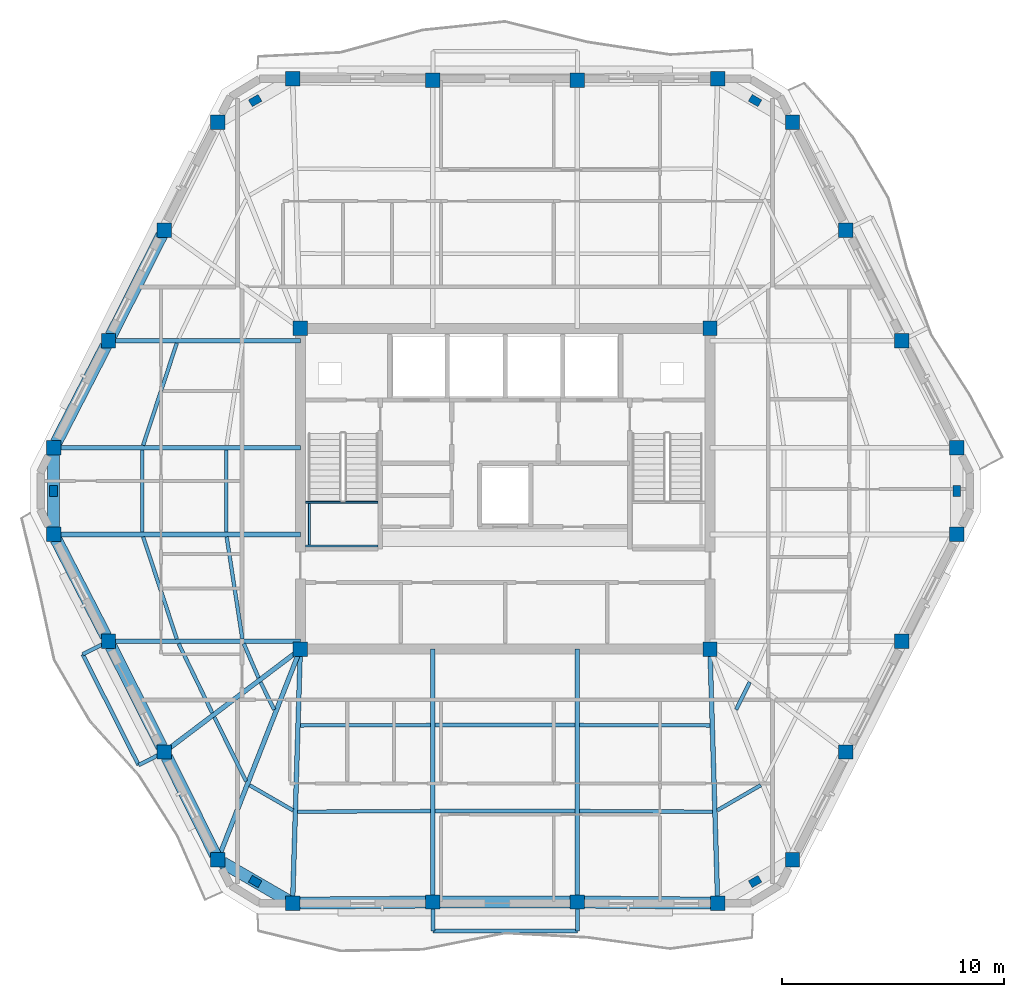
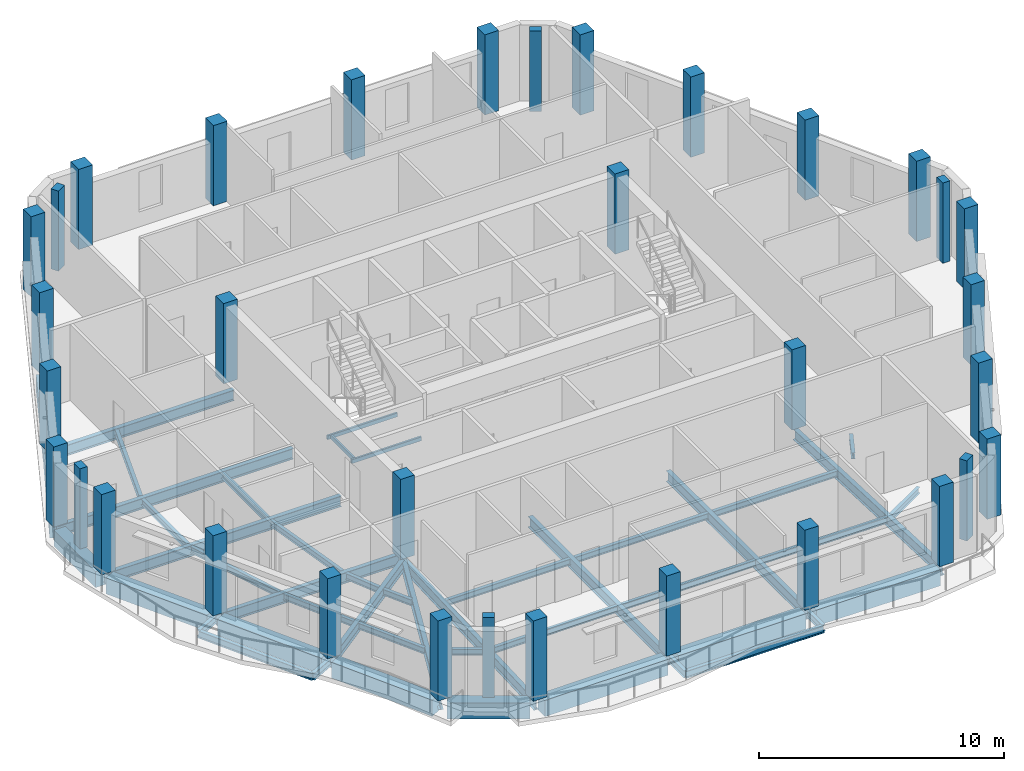
# One storey, part 1 of 11: 47 beams, 34 columns.
"""IFC4 building model written with IfcOpenShell, lengths in metres."""

from ifc_helpers import new_model, si_unit, direction, frame, origin, origin_2d, place, context, subcontext, project, spatial, rectangle, hollow_rectangle, i_section, extrude, material, material_profile, profile_set, type_object, element, save


model = new_model("IFC4")

# Units and contexts
model_context = context("Model", 3, precision=1e-05, world=origin(), true_north=direction((0.0, 1.0)))
body_context = subcontext(model_context, "Body", "Model", "MODEL_VIEW")
ifc_project = project(units=[si_unit("LENGTHUNIT", "METRE"), si_unit("AREAUNIT", "SQUARE_METRE"), si_unit("VOLUMEUNIT", "CUBIC_METRE"), si_unit("PLANEANGLEUNIT", "RADIAN"), si_unit("MASSUNIT", "GRAM", prefix="KILO")], contexts=[model_context])

# Site, building, storey
site_placement = place(None, origin())
site = spatial("IfcSite", under=ifc_project, at=site_placement, CompositionType="ELEMENT")
building_placement = place(site_placement, origin())
building = spatial("IfcBuilding", under=site, at=building_placement, Name="Cinnabar Lancet Tower", CompositionType="ELEMENT")
storey_placement = place(building_placement, frame((0.0, 0.0, 291.5)))
storey = spatial("IfcBuildingStorey", under=building, at=storey_placement, Name="L77", CompositionType="ELEMENT", Elevation=291.5)

# Columns
ifc_material_1 = material(Name="Concrete C50/60", Category="concrete")
ifc_material_profile_1 = material_profile(ifc_material_1, rectangle(XDim=0.64990234375, YDim=0.64990234375, at=origin_2d()), Name="RC-COL 650x650")
ifc_profile_set_1 = profile_set([ifc_material_profile_1], Name="Concrete C50/60")
column_type_1 = type_object("IfcColumnType", Name="STR-COL-CORE-650B", PredefinedType="COLUMN", material=ifc_profile_set_1)
for number, where, z_axis, x_axis, name in (
    (1, (23.175048828125, 18.675048828125, 0.0), (0.0, 0.0, 1.0), (1.0, 0.0, 0.0), "L77 Core Corner Column SW"),
    (2, (41.625, 18.675048828125, 0.0), (0.0, 0.0, 1.0), (1.0, 0.0, 0.0), "L77 Core Corner Column SE"),
    (3, (41.625, 33.125, 0.0), (0.0, 0.0, 1.0), (1.0, 0.0, 0.0), "L77 Core Corner Column NE"),
    (4, (23.175048828125, 33.125, 0.0), (0.0, 0.0, 1.0), (1.0, 0.0, 0.0), "L77 Core Corner Column NW"),
):
    element("IfcColumn", number, at=place(storey_placement, frame(where, z_axis=z_axis, x_axis=x_axis)), inside=storey, type_object=column_type_1, Name=name, PredefinedType="COLUMN", context=body_context, shape_type="SweptSolid", body=[
        extrude(rectangle(XDim=0.64990234375, YDim=0.64990234375, at=origin_2d()), origin(), (0.0, 0.0, 1.0), 4.0),
    ])
ifc_material_2 = material(Name="Concrete C60/75", Category="concrete")
ifc_material_profile_2 = material_profile(ifc_material_2, rectangle(XDim=0.5, YDim=0.35009765625, at=origin_2d()), Name="RC-PIL 500x350")
ifc_profile_set_2 = profile_set([ifc_material_profile_2], Name="Concrete C60/75")
column_type_2 = type_object("IfcColumnType", Name="STR-COL-PIL-500", PredefinedType="PILASTER", material=ifc_profile_set_2)
for number, where, z_axis, x_axis, name in (
    (5, (21.14306640625, 8.215087890625, 0.0), (0.0, 0.0, 1.0), (0.865256437757, -0.501329529272, 0.0), "L77 Chamfered Corner Pilaster 1"),
    (6, (43.656982421875, 8.215087890625, 0.0), (0.0, 0.0, 1.0), (0.865256437757, 0.501329529272, 0.0), "L77 Chamfered Corner Pilaster 2"),
    (7, (52.737060546875, 25.800048828125, 0.0), (0.0, 0.0, 1.0), (0.0, 1.0, 0.0), "L77 Chamfered Corner Pilaster 3"),
    (8, (43.656982421875, 43.385009765625, 0.0), (0.0, 0.0, 1.0), (-0.865256437757, 0.501329529272, 0.0), "L77 Chamfered Corner Pilaster 4"),
    (9, (21.14306640625, 43.385009765625, 0.0), (0.0, 0.0, 1.0), (-0.865256437757, -0.501329529272, 0.0), "L77 Chamfered Corner Pilaster 5"),
    (10, (12.06298828125, 25.800048828125, 0.0), (0.0, 0.0, 1.0), (0.0, -1.0, 0.0), "L77 Chamfered Corner Pilaster 6"),
):
    element("IfcColumn", number, at=place(storey_placement, frame(where, z_axis=z_axis, x_axis=x_axis)), inside=storey, type_object=column_type_2, Name=name, PredefinedType="PILASTER", context=body_context, shape_type="SweptSolid", body=[
        extrude(rectangle(XDim=0.5, YDim=0.35009765625, at=origin_2d()), origin(), (0.0, 0.0, 1.0), 4.0),
    ])
ifc_material_3 = material(Name="Concrete C50/60", Category="concrete")
ifc_material_profile_3 = material_profile(ifc_material_3, rectangle(XDim=0.64990234375, YDim=0.64990234375, at=origin_2d()), Name="RC-COL 650x650")
ifc_profile_set_3 = profile_set([ifc_material_profile_3], Name="Concrete C50/60")
column_type_3 = type_object("IfcColumnType", Name="STR-COL-TUBE-650", PredefinedType="COLUMN", material=ifc_profile_set_3)
for number, where, z_axis, x_axis, name in (
    (11, (22.827880859375, 7.239013671875, 0.0), (0.0, 0.0, 1.0), (1.0, 0.0, 0.0), "L77 Perimeter Tube Column 1"),
    (12, (29.14599609375, 7.2919921875, 0.0), (0.0, 0.0, 1.0), (1.0, 0.0, 0.0), "L77 Perimeter Tube Column 2"),
    (13, (35.654052734375, 7.2919921875, 0.0), (0.0, 0.0, 1.0), (1.0, 0.0, 0.0), "L77 Perimeter Tube Column 3"),
    (14, (41.971923828125, 7.239013671875, 0.0), (0.0, 0.0, 1.0), (1.0, 0.0, 0.0), "L77 Perimeter Tube Column 4"),
    (15, (45.341064453125, 9.19091796875, 0.0), (0.0, 0.0, 1.0), (1.0, 0.0, 0.0), "L77 Perimeter Tube Column 5"),
    (16, (47.7490234375, 14.0458984375, 0.0), (0.0, 0.0, 1.0), (1.0, 0.0, 0.0), "L77 Perimeter Tube Column 6"),
    (17, (50.263916015625, 19.032958984375, 0.0), (0.0, 0.0, 1.0), (1.0, 0.0, 0.0), "L77 Perimeter Tube Column 7"),
    (18, (52.737060546875, 23.844970703125, 0.0), (0.0, 0.0, 1.0), (1.0, 0.0, 0.0), "L77 Perimeter Tube Column 8"),
    (19, (52.737060546875, 27.7548828125, 0.0), (0.0, 0.0, 1.0), (1.0, 0.0, 0.0), "L77 Perimeter Tube Column 9"),
    (20, (50.263916015625, 32.56689453125, 0.0), (0.0, 0.0, 1.0), (1.0, 0.0, 0.0), "L77 Perimeter Tube Column 10"),
    (21, (47.7490234375, 37.553955078125, 0.0), (0.0, 0.0, 1.0), (1.0, 0.0, 0.0), "L77 Perimeter Tube Column 11"),
    (22, (45.341064453125, 42.408935546875, 0.0), (0.0, 0.0, 1.0), (1.0, 0.0, 0.0), "L77 Perimeter Tube Column 12"),
    (23, (41.971923828125, 44.361083984375, 0.0), (0.0, 0.0, 1.0), (1.0, 0.0, 0.0), "L77 Perimeter Tube Column 13"),
    (24, (35.654052734375, 44.30810546875, 0.0), (0.0, 0.0, 1.0), (1.0, 0.0, 0.0), "L77 Perimeter Tube Column 14"),
    (25, (29.14599609375, 44.30810546875, 0.0), (0.0, 0.0, 1.0), (1.0, 0.0, 0.0), "L77 Perimeter Tube Column 15"),
    (26, (22.827880859375, 44.361083984375, 0.0), (0.0, 0.0, 1.0), (1.0, 0.0, 0.0), "L77 Perimeter Tube Column 16"),
    (27, (19.458984375, 42.408935546875, 0.0), (0.0, 0.0, 1.0), (1.0, 0.0, 0.0), "L77 Perimeter Tube Column 17"),
    (28, (17.051025390625, 37.553955078125, 0.0), (0.0, 0.0, 1.0), (1.0, 0.0, 0.0), "L77 Perimeter Tube Column 18"),
    (29, (14.535888671875, 32.56689453125, 0.0), (0.0, 0.0, 1.0), (1.0, 0.0, 0.0), "L77 Perimeter Tube Column 19"),
    (30, (12.06298828125, 27.7548828125, 0.0), (0.0, 0.0, 1.0), (1.0, 0.0, 0.0), "L77 Perimeter Tube Column 20"),
    (31, (12.06298828125, 23.844970703125, 0.0), (0.0, 0.0, 1.0), (1.0, 0.0, 0.0), "L77 Perimeter Tube Column 21"),
    (32, (14.535888671875, 19.032958984375, 0.0), (0.0, 0.0, 1.0), (1.0, 0.0, 0.0), "L77 Perimeter Tube Column 22"),
    (33, (17.051025390625, 14.0458984375, 0.0), (0.0, 0.0, 1.0), (1.0, 0.0, 0.0), "L77 Perimeter Tube Column 23"),
    (34, (19.458984375, 9.19091796875, 0.0), (0.0, 0.0, 1.0), (1.0, 0.0, 0.0), "L77 Perimeter Tube Column 24"),
):
    element("IfcColumn", number, at=place(storey_placement, frame(where, z_axis=z_axis, x_axis=x_axis)), inside=storey, type_object=column_type_3, Name=name, PredefinedType="COLUMN", context=body_context, shape_type="SweptSolid", body=[
        extrude(rectangle(XDim=0.64990234375, YDim=0.64990234375, at=origin_2d()), origin(), (0.0, 0.0, 1.0), 4.0),
    ])

# Beams
ifc_material_4 = material(Name="Structural steel S355", Category="steel")
ifc_material_profile_4 = material_profile(ifc_material_4, i_section(OverallWidth=0.1650390625, OverallDepth=0.303466796875, WebThickness=0.006103515625, FlangeThickness=0.01025390625, FilletRadius=0.0087890625, at=origin_2d()), Name="UKB 305x165x40")
ifc_profile_set_4 = profile_set([ifc_material_profile_4], Name="Structural steel S355")
beam_type_1 = type_object("IfcBeamType", Name="STR-BM-JST-305", PredefinedType="JOIST", material=ifc_profile_set_4)
beam_1_placement = place(storey_placement, frame((16.097900390625, 23.739990234375, -0.35205078125), z_axis=(0.312536616989, -0.949905712711, 0.0), x_axis=(0.949905712711, 0.312536616989, 0.0)))
element("IfcBeam", 35, at=beam_1_placement, inside=storey, type_object=beam_type_1, Name="L77 Secondary Floor Joist 1", PredefinedType="JOIST", context=body_context, shape_type="SweptSolid", body=[
    extrude(i_section(OverallWidth=0.1650390625, OverallDepth=0.303466796875, WebThickness=0.006103515625, FlangeThickness=0.01025390625, FilletRadius=0.0087890625, at=origin_2d()), origin(), (0.0, 0.0, 1.0), 4.8447265625),
])
beam_2_placement = place(storey_placement, frame((19.85791015625, 23.739990234375, -0.35205078125), z_axis=(0.152262059154, -0.988340156698, 0.0), x_axis=(0.988340156698, 0.152262059154, 0.0)))
element("IfcBeam", 36, at=beam_2_placement, inside=storey, type_object=beam_type_1, Name="L77 Secondary Floor Joist 2", PredefinedType="JOIST", context=body_context, shape_type="SweptSolid", body=[
    extrude(i_section(OverallWidth=0.1650390625, OverallDepth=0.303466796875, WebThickness=0.006103515625, FlangeThickness=0.01025390625, FilletRadius=0.0087890625, at=origin_2d()), origin(), (0.0, 0.0, 1.0), 4.65625),
])
beam_3_placement = place(storey_placement, frame((17.697021484375, 18.927978515625, -0.35205078125), z_axis=(0.43610936109, -0.899893674369, 0.0), x_axis=(0.899893674369, 0.43610936109, 0.0)))
element("IfcBeam", 37, at=beam_3_placement, inside=storey, type_object=beam_type_1, Name="L77 Secondary Floor Joist 3", PredefinedType="JOIST", context=body_context, shape_type="SweptSolid", body=[
    extrude(i_section(OverallWidth=0.1650390625, OverallDepth=0.303466796875, WebThickness=0.006103515625, FlangeThickness=0.01025390625, FilletRadius=0.0087890625, at=origin_2d()), origin(), (0.0, 0.0, 1.0), 3.467041015625),
])
beam_4_placement = place(storey_placement, frame((20.62890625, 18.927978515625, -0.35205078125), z_axis=(0.396302440144, -0.91812002262, 0.0), x_axis=(0.91812002262, 0.396302440144, 0.0)))
element("IfcBeam", 38, at=beam_4_placement, inside=storey, type_object=beam_type_1, Name="L77 Secondary Floor Joist 4", PredefinedType="JOIST", context=body_context, shape_type="SweptSolid", body=[
    extrude(i_section(OverallWidth=0.1650390625, OverallDepth=0.303466796875, WebThickness=0.006103515625, FlangeThickness=0.01025390625, FilletRadius=0.0087890625, at=origin_2d()), origin(), (0.0, 0.0, 1.0), 1.6806640625),
])
beam_5_placement = place(storey_placement, frame((19.302978515625, 15.616943359375, -0.35205078125), z_axis=(0.444330443712, -0.895862967641, 0.0), x_axis=(0.895862967641, 0.444330443712, 0.0)))
element("IfcBeam", 39, at=beam_5_placement, inside=storey, type_object=beam_type_1, Name="L77 Secondary Floor Joist 5", PredefinedType="JOIST", context=body_context, shape_type="SweptSolid", body=[
    extrude(i_section(OverallWidth=0.1650390625, OverallDepth=0.303466796875, WebThickness=0.006103515625, FlangeThickness=0.01025390625, FilletRadius=0.0087890625, at=origin_2d()), origin(), (0.0, 0.0, 1.0), 3.220458984375),
])
beam_6_placement = place(storey_placement, frame((21.385009765625, 17.19091796875, -0.35205078125), z_axis=(0.444093192127, -0.89598060063, 0.0), x_axis=(0.89598060063, 0.444093192127, 0.0)))
element("IfcBeam", 40, at=beam_6_placement, inside=storey, type_object=beam_type_1, Name="L77 Secondary Floor Joist 6", PredefinedType="JOIST", context=body_context, shape_type="SweptSolid", body=[
    extrude(i_section(OverallWidth=0.1650390625, OverallDepth=0.303466796875, WebThickness=0.006103515625, FlangeThickness=0.01025390625, FilletRadius=0.0087890625, at=origin_2d()), origin(), (0.0, 0.0, 1.0), 1.378173828125),
])
beam_7_placement = place(storey_placement, frame((20.887939453125, 12.552001953125, -0.35205078125), z_axis=(0.865426285481, -0.501036270542, 0.0), x_axis=(0.501036270542, 0.865426285481, 0.0)))
element("IfcBeam", 41, at=beam_7_placement, inside=storey, type_object=beam_type_1, Name="L77 Secondary Floor Joist 7", PredefinedType="JOIST", context=body_context, shape_type="SweptSolid", body=[
    extrude(i_section(OverallWidth=0.1650390625, OverallDepth=0.303466796875, WebThickness=0.006103515625, FlangeThickness=0.01025390625, FilletRadius=0.0087890625, at=origin_2d()), origin(), (0.0, 0.0, 1.0), 2.267333984375),
])
beam_8_placement = place(storey_placement, frame((23.05810546875, 11.35693359375, -0.35205078125), z_axis=(0.999985712428, 0.005345553266, 0.0), x_axis=(-0.005345553266, 0.999985712428, 0.0)))
element("IfcBeam", 42, at=beam_8_placement, inside=storey, type_object=beam_type_1, Name="L77 Secondary Floor Joist 8", PredefinedType="JOIST", context=body_context, shape_type="SweptSolid", body=[
    extrude(i_section(OverallWidth=0.1650390625, OverallDepth=0.303466796875, WebThickness=0.006103515625, FlangeThickness=0.01025390625, FilletRadius=0.0087890625, at=origin_2d()), origin(), (0.0, 0.0, 1.0), 5.98291015625),
])
beam_9_placement = place(storey_placement, frame((23.176025390625, 15.243896484375, -0.35205078125), z_axis=(0.999996226008, 0.002747356738, 0.0), x_axis=(-0.002747356738, 0.999996226008, 0.0)))
element("IfcBeam", 43, at=beam_9_placement, inside=storey, type_object=beam_type_1, Name="L77 Secondary Floor Joist 9", PredefinedType="JOIST", context=body_context, shape_type="SweptSolid", body=[
    extrude(i_section(OverallWidth=0.1650390625, OverallDepth=0.303466796875, WebThickness=0.006103515625, FlangeThickness=0.01025390625, FilletRadius=0.0087890625, at=origin_2d()), origin(), (0.0, 0.0, 1.0), 5.864990234375),
])
for number, where, z_axis, x_axis, name in (
    (44, (29.2509765625, 11.389892578125, -0.35205078125), (1.0, 0.0, 0.0), (0.0, 1.0, 0.0), "L77 Secondary Floor Joist 10"),
    (45, (29.2509765625, 15.260009765625, -0.35205078125), (1.0, 0.0, 0.0), (0.0, 1.0, 0.0), "L77 Secondary Floor Joist 11"),
):
    element("IfcBeam", number, at=place(storey_placement, frame(where, z_axis=z_axis, x_axis=x_axis)), inside=storey, type_object=beam_type_1, Name=name, PredefinedType="JOIST", context=body_context, shape_type="SweptSolid", body=[
        extrude(i_section(OverallWidth=0.1650390625, OverallDepth=0.303466796875, WebThickness=0.006103515625, FlangeThickness=0.01025390625, FilletRadius=0.0087890625, at=origin_2d()), origin(), (0.0, 0.0, 1.0), 6.298095703125),
    ])
beam_10_placement = place(storey_placement, frame((35.759033203125, 11.388916015625, -0.35205078125), z_axis=(0.999985712428, -0.005345553266, 0.0), x_axis=(0.005345553266, 0.999985712428, 0.0)))
element("IfcBeam", 46, at=beam_10_placement, inside=storey, type_object=beam_type_1, Name="L77 Secondary Floor Joist 12", PredefinedType="JOIST", context=body_context, shape_type="SweptSolid", body=[
    extrude(i_section(OverallWidth=0.1650390625, OverallDepth=0.303466796875, WebThickness=0.006103515625, FlangeThickness=0.01025390625, FilletRadius=0.0087890625, at=origin_2d()), origin(), (0.0, 0.0, 1.0), 5.98291015625),
])
beam_11_placement = place(storey_placement, frame((35.759033203125, 15.260009765625, -0.35205078125), z_axis=(0.999996226008, -0.002747356738, 0.0), x_axis=(0.002747356738, 0.999996226008, 0.0)))
element("IfcBeam", 47, at=beam_11_placement, inside=storey, type_object=beam_type_1, Name="L77 Secondary Floor Joist 13", PredefinedType="JOIST", context=body_context, shape_type="SweptSolid", body=[
    extrude(i_section(OverallWidth=0.1650390625, OverallDepth=0.303466796875, WebThickness=0.006103515625, FlangeThickness=0.01025390625, FilletRadius=0.0087890625, at=origin_2d()), origin(), (0.0, 0.0, 1.0), 5.864990234375),
])
beam_12_placement = place(storey_placement, frame((41.949951171875, 11.416015625, -0.35205078125), z_axis=(0.865426285481, 0.501036270542, 0.0), x_axis=(-0.501036270542, 0.865426285481, 0.0)))
element("IfcBeam", 48, at=beam_12_placement, inside=storey, type_object=beam_type_1, Name="L77 Secondary Floor Joist 14", PredefinedType="JOIST", context=body_context, shape_type="SweptSolid", body=[
    extrude(i_section(OverallWidth=0.1650390625, OverallDepth=0.303466796875, WebThickness=0.006103515625, FlangeThickness=0.01025390625, FilletRadius=0.0087890625, at=origin_2d()), origin(), (0.0, 0.0, 1.0), 2.267333984375),
])
beam_13_placement = place(storey_placement, frame((42.802978515625, 15.9560546875, -0.35205078125), z_axis=(0.444093192127, 0.89598060063, 0.0), x_axis=(-0.89598060063, 0.444093192127, 0.0)))
element("IfcBeam", 49, at=beam_13_placement, inside=storey, type_object=beam_type_1, Name="L77 Secondary Floor Joist 16", PredefinedType="JOIST", context=body_context, shape_type="SweptSolid", body=[
    extrude(i_section(OverallWidth=0.1650390625, OverallDepth=0.303466796875, WebThickness=0.006103515625, FlangeThickness=0.01025390625, FilletRadius=0.0087890625, at=origin_2d()), origin(), (0.0, 0.0, 1.0), 1.378173828125),
])
beam_14_placement = place(storey_placement, frame((17.612060546875, 32.4619140625, -0.35205078125), z_axis=(-0.312551578319, -0.949900790025, 0.0), x_axis=(0.949900790025, -0.312551578319, 0.0)))
element("IfcBeam", 50, at=beam_14_placement, inside=storey, type_object=beam_type_1, Name="L77 Secondary Floor Joist 41", PredefinedType="JOIST", context=body_context, shape_type="SweptSolid", body=[
    extrude(i_section(OverallWidth=0.1650390625, OverallDepth=0.303466796875, WebThickness=0.006103515625, FlangeThickness=0.01025390625, FilletRadius=0.0087890625, at=origin_2d()), origin(), (0.0, 0.0, 1.0), 4.844482421875),
])
for number, where, z_axis, x_axis, name in (
    (51, (16.06298828125, 27.64990234375, -0.35205078125), (0.0, -1.0, 0.0), (1.0, 0.0, 0.0), "L77 Secondary Floor Joist 43"),
    (52, (19.841064453125, 27.64990234375, -0.35205078125), (0.0, -1.0, 0.0), (1.0, 0.0, 0.0), "L77 Secondary Floor Joist 44"),
):
    element("IfcBeam", number, at=place(storey_placement, frame(where, z_axis=z_axis, x_axis=x_axis)), inside=storey, type_object=beam_type_1, Name=name, PredefinedType="JOIST", context=body_context, shape_type="SweptSolid", body=[
        extrude(i_section(OverallWidth=0.1650390625, OverallDepth=0.303466796875, WebThickness=0.006103515625, FlangeThickness=0.01025390625, FilletRadius=0.0087890625, at=origin_2d()), origin(), (0.0, 0.0, 1.0), 3.699951171875),
    ])
ifc_material_5 = material(Name="Structural steel S355", Category="steel")
ifc_material_profile_5 = material_profile(ifc_material_5, hollow_rectangle(XDim=0.10009765625, YDim=0.199951171875, WallThickness=0.008056640625, InnerFilletRadius=0.00390625, OuterFilletRadius=0.011962890625, at=origin_2d()), Name="RHS 200x100x8")
ifc_profile_set_5 = profile_set([ifc_material_profile_5], Name="Structural steel S355")
beam_type_2 = type_object("IfcBeamType", Name="STR-BM-LND-203", PredefinedType="BEAM", material=ifc_profile_set_5)
for number, where, z_axis, x_axis, name in (
    (53, (23.39990234375, 23.330078125, 1.699951171875), (1.0, 0.0, 0.0), (0.0, 1.0, 0.0), "L77 ST-1-L77 Landing Support Beam S"),
    (54, (23.39990234375, 25.294921875, 1.699951171875), (1.0, 0.0, 0.0), (0.0, 1.0, 0.0), "L77 ST-1-L77 Landing Support Beam N"),
):
    element("IfcBeam", number, at=place(storey_placement, frame(where, z_axis=z_axis, x_axis=x_axis)), inside=storey, type_object=beam_type_2, Name=name, PredefinedType="BEAM", context=body_context, shape_type="SweptSolid", body=[
        extrude(hollow_rectangle(XDim=0.10009765625, YDim=0.199951171875, WallThickness=0.008056640625, InnerFilletRadius=0.00390625, OuterFilletRadius=0.011962890625, at=origin_2d()), origin(), (0.0, 0.0, 1.0), 3.280029296875),
    ])
beam_15_placement = place(storey_placement, frame((23.580078125, 23.3798828125, 1.699951171875), z_axis=(0.0, 1.0, 0.0), x_axis=(-1.0, 0.0, 0.0)))
element("IfcBeam", 55, at=beam_15_placement, inside=storey, type_object=beam_type_2, Name="L77 ST-1-L77 Landing Side Trimmer Beam", PredefinedType="BEAM", context=body_context, shape_type="SweptSolid", body=[
    extrude(hollow_rectangle(XDim=0.10009765625, YDim=0.199951171875, WallThickness=0.008056640625, InnerFilletRadius=0.00390625, OuterFilletRadius=0.011962890625, at=origin_2d()), origin(), (0.0, 0.0, 1.0), 1.865234375),
])
ifc_material_6 = material(Name="Concrete C50/60", Category="concrete")
ifc_material_profile_6 = material_profile(ifc_material_6, rectangle(XDim=0.550048828125, YDim=0.800048828125, at=origin_2d()), Name="RC-SB 550x800")
ifc_profile_set_6 = profile_set([ifc_material_profile_6], Name="Concrete C50/60")
beam_type_3 = type_object("IfcBeamType", Name="STR-BM-RCSB-800", PredefinedType="SPANDREL", material=ifc_profile_set_6)
beam_16_placement = place(storey_placement, frame((23.077880859375, 7.240966796875, -0.60009765625), z_axis=(0.999964432412, 0.008434092187, 0.0), x_axis=(-0.008434092187, 0.999964432412, 0.0)))
element("IfcBeam", 56, at=beam_16_placement, inside=storey, type_object=beam_type_3, Name="L77 Perimeter Spandrel 1", PredefinedType="SPANDREL", context=body_context, shape_type="SweptSolid", body=[
    extrude(rectangle(XDim=0.550048828125, YDim=0.800048828125, at=origin_2d()), origin(), (0.0, 0.0, 1.0), 5.818359375),
])
beam_17_placement = place(storey_placement, frame((29.39599609375, 7.2919921875, -0.60009765625), z_axis=(1.0, 0.0, 0.0), x_axis=(0.0, 1.0, 0.0)))
element("IfcBeam", 57, at=beam_17_placement, inside=storey, type_object=beam_type_3, Name="L77 Perimeter Spandrel 2", PredefinedType="SPANDREL", context=body_context, shape_type="SweptSolid", body=[
    extrude(rectangle(XDim=0.550048828125, YDim=0.800048828125, at=origin_2d()), origin(), (0.0, 0.0, 1.0), 6.008056640625),
])
beam_18_placement = place(storey_placement, frame((35.904052734375, 7.2900390625, -0.60009765625), z_axis=(0.999964429427, -0.00843444609, 0.0), x_axis=(0.00843444609, 0.999964429427, 0.0)))
element("IfcBeam", 58, at=beam_18_placement, inside=storey, type_object=beam_type_3, Name="L77 Perimeter Spandrel 3", PredefinedType="SPANDREL", context=body_context, shape_type="SweptSolid", body=[
    extrude(rectangle(XDim=0.550048828125, YDim=0.800048828125, at=origin_2d()), origin(), (0.0, 0.0, 1.0), 5.818115234375),
])
beam_19_placement = place(storey_placement, frame((16.93798828125, 37.3310546875, -0.60009765625), z_axis=(-0.450130146726, -0.892962961722, 0.0), x_axis=(0.892962961722, -0.450130146726, 0.0)))
element("IfcBeam", 59, at=beam_19_placement, inside=storey, type_object=beam_type_3, Name="L77 Perimeter Spandrel 18", PredefinedType="SPANDREL", context=body_context, shape_type="SweptSolid", body=[
    extrude(rectangle(XDim=0.550048828125, YDim=0.800048828125, at=origin_2d()), origin(), (0.0, 0.0, 1.0), 5.08544921875),
])
beam_20_placement = place(storey_placement, frame((14.422119140625, 32.344970703125, -0.60009765625), z_axis=(-0.457148063427, -0.889390604912, 0.0), x_axis=(0.889390604912, -0.457148063427, 0.0)))
element("IfcBeam", 60, at=beam_20_placement, inside=storey, type_object=beam_type_3, Name="L77 Perimeter Spandrel 19", PredefinedType="SPANDREL", context=body_context, shape_type="SweptSolid", body=[
    extrude(rectangle(XDim=0.550048828125, YDim=0.800048828125, at=origin_2d()), origin(), (0.0, 0.0, 1.0), 4.9111328125),
])
beam_21_placement = place(storey_placement, frame((12.06298828125, 27.5048828125, -0.60009765625), z_axis=(0.0, -1.0, 0.0), x_axis=(1.0, 0.0, 0.0)))
element("IfcBeam", 61, at=beam_21_placement, inside=storey, type_object=beam_type_3, Name="L77 Perimeter Spandrel 20", PredefinedType="SPANDREL", context=body_context, shape_type="SweptSolid", body=[
    extrude(rectangle(XDim=0.550048828125, YDim=0.800048828125, at=origin_2d()), origin(), (0.0, 0.0, 1.0), 3.409912109375),
])
beam_22_placement = place(storey_placement, frame((12.177001953125, 23.623046875, -0.60009765625), z_axis=(0.457127852293, -0.889400993174, 0.0), x_axis=(0.889400993174, 0.457127852293, 0.0)))
element("IfcBeam", 62, at=beam_22_placement, inside=storey, type_object=beam_type_3, Name="L77 Perimeter Spandrel 21", PredefinedType="SPANDREL", context=body_context, shape_type="SweptSolid", body=[
    extrude(rectangle(XDim=0.550048828125, YDim=0.800048828125, at=origin_2d()), origin(), (0.0, 0.0, 1.0), 4.911376953125),
])
beam_23_placement = place(storey_placement, frame((14.64892578125, 18.81005859375, -0.60009765625), z_axis=(0.450130146726, -0.892962961722, 0.0), x_axis=(0.892962961722, 0.450130146726, 0.0)))
element("IfcBeam", 63, at=beam_23_placement, inside=storey, type_object=beam_type_3, Name="L77 Perimeter Spandrel 22", PredefinedType="SPANDREL", context=body_context, shape_type="SweptSolid", body=[
    extrude(rectangle(XDim=0.550048828125, YDim=0.800048828125, at=origin_2d()), origin(), (0.0, 0.0, 1.0), 5.08544921875),
])
beam_24_placement = place(storey_placement, frame((17.162109375, 13.822021484375, -0.60009765625), z_axis=(0.44433276947, -0.895861814107, 0.0), x_axis=(0.895861814107, 0.44433276947, 0.0)))
element("IfcBeam", 64, at=beam_24_placement, inside=storey, type_object=beam_type_3, Name="L77 Perimeter Spandrel 23", PredefinedType="SPANDREL", context=body_context, shape_type="SweptSolid", body=[
    extrude(rectangle(XDim=0.550048828125, YDim=0.800048828125, at=origin_2d()), origin(), (0.0, 0.0, 1.0), 4.919189453125),
])
beam_25_placement = place(storey_placement, frame((19.675048828125, 9.06591796875, -0.60009765625), z_axis=(0.865230894194, -0.50137361292, 0.0), x_axis=(0.50137361292, 0.865230894194, 0.0)))
element("IfcBeam", 65, at=beam_25_placement, inside=storey, type_object=beam_type_3, Name="L77 Perimeter Spandrel 24", PredefinedType="SPANDREL", context=body_context, shape_type="SweptSolid", body=[
    extrude(rectangle(XDim=0.550048828125, YDim=0.800048828125, at=origin_2d()), origin(), (0.0, 0.0, 1.0), 3.39453125),
])
ifc_material_7 = material(Name="Structural steel S355", Category="steel")
ifc_material_profile_7 = material_profile(ifc_material_7, i_section(OverallWidth=0.209228515625, OverallDepth=0.533203125, WebThickness=0.010009765625, FlangeThickness=0.015625, FilletRadius=0.0126953125, at=origin_2d()), Name="UKB 533x210x92")
ifc_profile_set_7 = profile_set([ifc_material_profile_7], Name="Structural steel S355")
beam_type_4 = type_object("IfcBeamType", Name="STR-BM-UKB533-92", PredefinedType="BEAM", material=ifc_profile_set_7)
beam_26_placement = place(storey_placement, frame((17.051025390625, 14.0458984375, -0.467041015625), z_axis=(0.797735075719, 0.603008083667, 0.0), x_axis=(-0.603008083667, 0.797735075719, 0.0)))
element("IfcBeam", 66, at=beam_26_placement, inside=storey, type_object=beam_type_4, Name="L77 Corner Collector Girder 1", PredefinedType="BEAM", context=body_context, shape_type="SweptSolid", body=[
    extrude(i_section(OverallWidth=0.209228515625, OverallDepth=0.533203125, WebThickness=0.010009765625, FlangeThickness=0.015625, FilletRadius=0.0126953125, at=origin_2d()), origin(), (0.0, 0.0, 1.0), 7.6767578125),
])
beam_27_placement = place(storey_placement, frame((22.827880859375, 7.239013671875, -0.467041015625), z_axis=(0.030343393029, 0.999539533235, 0.0), x_axis=(-0.999539533235, 0.030343393029, 0.0)))
element("IfcBeam", 67, at=beam_27_placement, inside=storey, type_object=beam_type_4, Name="L77 Primary Floor Girder 1", PredefinedType="BEAM", context=body_context, shape_type="SweptSolid", body=[
    extrude(i_section(OverallWidth=0.209228515625, OverallDepth=0.533203125, WebThickness=0.010009765625, FlangeThickness=0.015625, FilletRadius=0.0126953125, at=origin_2d()), origin(), (0.0, 0.0, 1.0), 11.44140625),
])
for number, where, z_axis, x_axis, name in (
    (68, (29.14599609375, 7.2919921875, -0.467041015625), (0.0, 1.0, 0.0), (-1.0, 0.0, 0.0), "L77 Primary Floor Girder 2"),
    (69, (35.654052734375, 7.2919921875, -0.467041015625), (0.0, 1.0, 0.0), (-1.0, 0.0, 0.0), "L77 Primary Floor Girder 3"),
):
    element("IfcBeam", number, at=place(storey_placement, frame(where, z_axis=z_axis, x_axis=x_axis)), inside=storey, type_object=beam_type_4, Name=name, PredefinedType="BEAM", context=body_context, shape_type="SweptSolid", body=[
        extrude(i_section(OverallWidth=0.209228515625, OverallDepth=0.533203125, WebThickness=0.010009765625, FlangeThickness=0.015625, FilletRadius=0.0126953125, at=origin_2d()), origin(), (0.0, 0.0, 1.0), 11.383056640625),
    ])
beam_28_placement = place(storey_placement, frame((41.971923828125, 7.239013671875, -0.467041015625), z_axis=(-0.030322074123, 0.999540180193, 0.0), x_axis=(-0.999540180193, -0.030322074123, 0.0)))
element("IfcBeam", 70, at=beam_28_placement, inside=storey, type_object=beam_type_4, Name="L77 Primary Floor Girder 4", PredefinedType="BEAM", context=body_context, shape_type="SweptSolid", body=[
    extrude(i_section(OverallWidth=0.209228515625, OverallDepth=0.533203125, WebThickness=0.010009765625, FlangeThickness=0.015625, FilletRadius=0.0126953125, at=origin_2d()), origin(), (0.0, 0.0, 1.0), 11.44140625),
])
beam_29_placement = place(storey_placement, frame((14.535888671875, 32.56689453125, -0.467041015625), z_axis=(1.0, 0.0, 0.0), x_axis=(0.0, 1.0, 0.0)))
element("IfcBeam", 71, at=beam_29_placement, inside=storey, type_object=beam_type_4, Name="L77 Primary Floor Girder 19", PredefinedType="BEAM", context=body_context, shape_type="SweptSolid", body=[
    extrude(i_section(OverallWidth=0.209228515625, OverallDepth=0.533203125, WebThickness=0.010009765625, FlangeThickness=0.015625, FilletRadius=0.0126953125, at=origin_2d()), origin(), (0.0, 0.0, 1.0), 8.63916015625),
])
for number, where, z_axis, x_axis, name in (
    (72, (12.06298828125, 27.7548828125, -0.467041015625), (1.0, 0.0, 0.0), (0.0, 1.0, 0.0), "L77 Primary Floor Girder 20"),
    (73, (12.06298828125, 23.844970703125, -0.467041015625), (1.0, 0.0, 0.0), (0.0, 1.0, 0.0), "L77 Primary Floor Girder 21"),
):
    element("IfcBeam", number, at=place(storey_placement, frame(where, z_axis=z_axis, x_axis=x_axis)), inside=storey, type_object=beam_type_4, Name=name, PredefinedType="BEAM", context=body_context, shape_type="SweptSolid", body=[
        extrude(i_section(OverallWidth=0.209228515625, OverallDepth=0.533203125, WebThickness=0.010009765625, FlangeThickness=0.015625, FilletRadius=0.0126953125, at=origin_2d()), origin(), (0.0, 0.0, 1.0), 11.112060546875),
    ])
beam_30_placement = place(storey_placement, frame((14.535888671875, 19.032958984375, -0.467041015625), z_axis=(1.0, 0.0, 0.0), x_axis=(0.0, 1.0, 0.0)))
element("IfcBeam", 74, at=beam_30_placement, inside=storey, type_object=beam_type_4, Name="L77 Primary Floor Girder 22", PredefinedType="BEAM", context=body_context, shape_type="SweptSolid", body=[
    extrude(i_section(OverallWidth=0.209228515625, OverallDepth=0.533203125, WebThickness=0.010009765625, FlangeThickness=0.015625, FilletRadius=0.0126953125, at=origin_2d()), origin(), (0.0, 0.0, 1.0), 8.63916015625),
])
beam_31_placement = place(storey_placement, frame((19.458984375, 9.19091796875, -0.467041015625), z_axis=(0.364815017375, 0.931080019707, 0.0), x_axis=(-0.931080019707, 0.364815017375, 0.0)))
element("IfcBeam", 75, at=beam_31_placement, inside=storey, type_object=beam_type_4, Name="L77 Primary Floor Girder 24", PredefinedType="BEAM", context=body_context, shape_type="SweptSolid", body=[
    extrude(i_section(OverallWidth=0.209228515625, OverallDepth=0.533203125, WebThickness=0.010009765625, FlangeThickness=0.015625, FilletRadius=0.0126953125, at=origin_2d()), origin(), (0.0, 0.0, 1.0), 10.186279296875),
])
ifc_material_8 = material(Name="Structural steel S355", Category="steel")
ifc_material_profile_8 = material_profile(ifc_material_8, i_section(OverallWidth=0.17138671875, OverallDepth=0.35498046875, WebThickness=0.00732421875, FlangeThickness=0.011474609375, FilletRadius=0.01025390625, at=origin_2d()), Name="UKB 356x171x51")
ifc_profile_set_8 = profile_set([ifc_material_profile_8], Name="Structural steel S355")
beam_type_5 = type_object("IfcBeamType", Name="STR-BM-WAV-OUT", PredefinedType="BEAM", material=ifc_profile_set_8)
for number, where, z_axis, x_axis, name in (
    (76, (29.14599609375, 7.2919921875, -0.39794921875), (0.0, -1.0, 0.0), (1.0, 0.0, 0.0), "L77 Face 1 Balcony Outlooker A"),
    (77, (35.654052734375, 7.2919921875, -0.39794921875), (0.0, -1.0, 0.0), (1.0, 0.0, 0.0), "L77 Face 1 Balcony Outlooker B"),
    (78, (14.535888671875, 19.032958984375, -0.39794921875), (-0.89227592947, -0.451490493464, 0.0), (0.451490493464, -0.89227592947, 0.0), "L77 Face 6 Balcony Outlooker A"),
    (79, (17.051025390625, 14.0458984375, -0.39794921875), (-0.89227592947, -0.451490493464, 0.0), (0.451490493464, -0.89227592947, 0.0), "L77 Face 6 Balcony Outlooker B"),
):
    element("IfcBeam", number, at=place(storey_placement, frame(where, z_axis=z_axis, x_axis=x_axis)), inside=storey, type_object=beam_type_5, Name=name, PredefinedType="BEAM", context=body_context, shape_type="SweptSolid", body=[
        extrude(i_section(OverallWidth=0.17138671875, OverallDepth=0.35498046875, WebThickness=0.00732421875, FlangeThickness=0.011474609375, FilletRadius=0.01025390625, at=origin_2d()), origin(), (0.0, 0.0, 1.0), 1.300048828125),
    ])
ifc_material_9 = material(Name="Structural steel S355", Category="steel")
ifc_material_profile_9 = material_profile(ifc_material_9, i_section(OverallWidth=0.17138671875, OverallDepth=0.35498046875, WebThickness=0.00732421875, FlangeThickness=0.011474609375, FilletRadius=0.01025390625, at=origin_2d()), Name="UKB 356x171x51")
ifc_profile_set_9 = profile_set([ifc_material_profile_9], Name="Structural steel S355")
beam_type_6 = type_object("IfcBeamType", Name="STR-BM-WAV-TRIM", PredefinedType="SPANDREL", material=ifc_profile_set_9)
beam_32_placement = place(storey_placement, frame((29.14599609375, 5.991943359375, -0.39794921875), z_axis=(1.0, 0.0, 0.0), x_axis=(0.0, 1.0, 0.0)))
element("IfcBeam", 80, at=beam_32_placement, inside=storey, type_object=beam_type_6, Name="L77 Face 1 Balcony Edge Trimmer", PredefinedType="SPANDREL", context=body_context, shape_type="SweptSolid", body=[
    extrude(i_section(OverallWidth=0.17138671875, OverallDepth=0.35498046875, WebThickness=0.00732421875, FlangeThickness=0.011474609375, FilletRadius=0.01025390625, at=origin_2d()), origin(), (0.0, 0.0, 1.0), 6.508056640625),
])
beam_33_placement = place(storey_placement, frame((13.3759765625, 18.446044921875, -0.39794921875), z_axis=(0.450305622338, -0.892874485295, 0.0), x_axis=(0.892874485295, 0.450305622338, 0.0)))
element("IfcBeam", 81, at=beam_33_placement, inside=storey, type_object=beam_type_6, Name="L77 Face 6 Balcony Edge Trimmer", PredefinedType="SPANDREL", context=body_context, shape_type="SweptSolid", body=[
    extrude(i_section(OverallWidth=0.17138671875, OverallDepth=0.35498046875, WebThickness=0.00732421875, FlangeThickness=0.011474609375, FilletRadius=0.01025390625, at=origin_2d()), origin(), (0.0, 0.0, 1.0), 5.58544921875),
])

save(model, "model.ifc")
